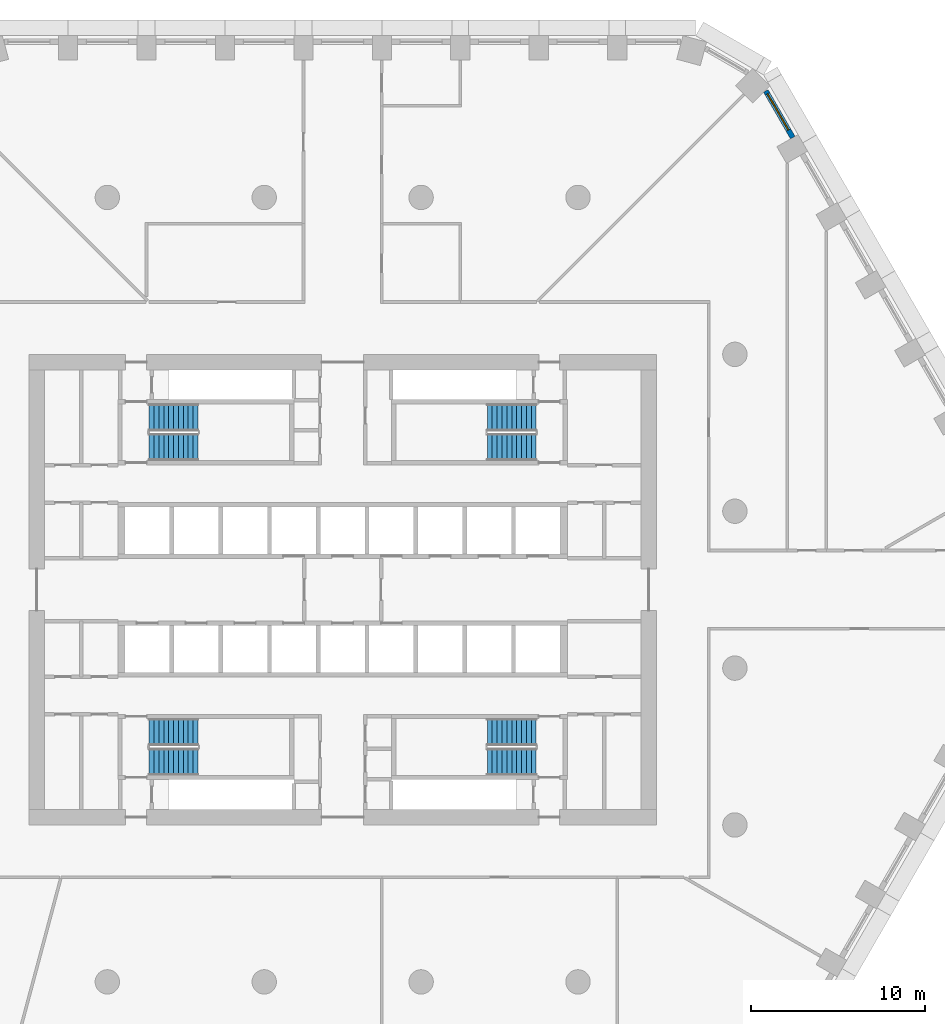
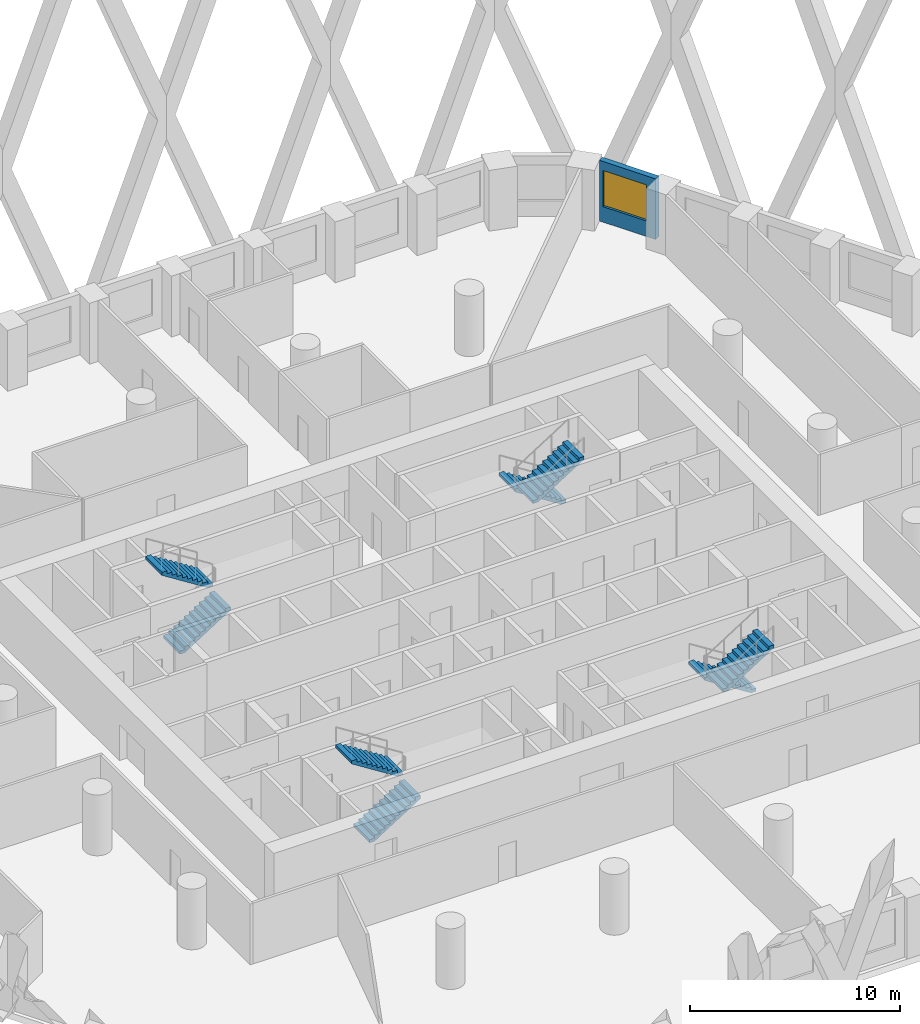
# One storey, part 9 of 18: 8 stair flights, 1 wall, 1 window, 1 opening, 4 elements without a shape of their own.
"""IFC4 building model written with IfcOpenShell, lengths in metres."""

from ifc_helpers import new_model, si_unit, direction, frame, frame_2d, origin, place, context, subcontext, project, spatial, polyline, rectangle, outline, extrude, material, layer, layer_set, type_object, element, fill, aggregate, save


model = new_model("IFC4")

# Units and contexts
model_context = context("Model", 3, precision=1e-05, world=origin(), true_north=direction((0.0, 1.0)))
body_context = subcontext(model_context, "Body", "Model", "MODEL_VIEW")
ifc_project = project(units=[si_unit("LENGTHUNIT", "METRE"), si_unit("AREAUNIT", "SQUARE_METRE"), si_unit("VOLUMEUNIT", "CUBIC_METRE"), si_unit("PLANEANGLEUNIT", "RADIAN"), si_unit("MASSUNIT", "GRAM", prefix="KILO")], contexts=[model_context])

# Site, building, storey
site_placement = place(None, origin())
site = spatial("IfcSite", under=ifc_project, at=site_placement, CompositionType="ELEMENT")
building_placement = place(site_placement, origin())
building = spatial("IfcBuilding", under=site, at=building_placement, Name="Dhurran Vertical Campus", CompositionType="ELEMENT")
storey_placement = place(building_placement, frame((0.0, 0.0, 53.39990234375)))
storey = spatial("IfcBuildingStorey", under=building, at=storey_placement, Name="L12", CompositionType="ELEMENT", Elevation=53.39990234375)

# Wall, opening, window
ifc_material_1 = material(Name="Precast concrete C50/60", Category="concrete")
ifc_layer = layer(ifc_material_1, 0.300048828125)
ifc_layer_set = layer_set([ifc_layer], Name="Precast concrete C50/60")
wall_type = type_object("IfcWallType", Name="Precast spandrel wall 300", PredefinedType="SOLIDWALL", material=ifc_layer_set)
wall_placement = place(storey_placement, frame((25.81884765625, 25.934326171875, 0.0), z_axis=(0.0, 0.0, 1.0), x_axis=(-0.499995950774, 0.866027741594, 0.0)))
wall = element("IfcWall", 1, at=wall_placement, inside=storey, type_object=wall_type, Name="EW1 L12.24", PredefinedType="SOLIDWALL", context=body_context, shape_type="SweptSolid", body=[
    extrude(rectangle(XDim=3.0908203125, YDim=0.300048828125, at=frame_2d((1.54541015625, 0.0))), origin(), (0.0, 0.0, 1.0), 3.525146484375),
])
opening_placement = place(wall_placement, frame((0.49951171875, 0.0, 0.89990234375)))
opening = element("IfcOpeningElement", 2, at=opening_placement, cuts=wall, Name="Opening WT1", PredefinedType="OPENING", context=body_context, shape_type="SweptSolid", body=[
    extrude(rectangle(XDim=2.39990234375, YDim=2.10009765625, at=frame_2d((1.199951171875, 1.050048828125))), frame((0.0, 0.159912109375, 0.0), z_axis=(0.0, -1.0, 0.0), x_axis=(1.0, 0.0, 0.0)), (0.0, 0.0, 1.0), 0.320068359375),
])
ifc_material_2 = material(Name="Aluminium frame with solar-control glass", Category="aluminium")
window_type = type_object("IfcWindowType", Name="Punched window 2400 x 2100", PartitioningType="SINGLE_PANEL", PredefinedType="WINDOW", material=ifc_material_2)
window_placement = place(opening_placement, origin())
window = element("IfcWindow", 3, at=window_placement, inside=storey, type_object=window_type, Name="WT1 L12.24", OverallHeight=2.10009765625, OverallWidth=2.39990234375, PartitioningType="SINGLE_PANEL", PredefinedType="WINDOW", context=body_context, shape_type="SweptSolid", body=[
    extrude(rectangle(XDim=2.39990234375, YDim=2.10009765625, at=frame_2d((1.199951171875, 1.050048828125))), frame((0.0, 0.030029296875, 0.0), z_axis=(0.0, -1.0, 0.0), x_axis=(1.0, 0.0, 0.0)), (0.0, 0.0, 1.0), 0.06005859375),
])
fill(opening, window)

# Stair, stair flights
ifc_material_3 = material(Name="Concrete C40/50", Category="concrete")
stair_type = type_object("IfcStairType", Name="co-ST-CORE", PredefinedType="HALF_TURN_STAIR", material=ifc_material_3)
stair_1_placement = place(storey_placement, origin())
stair_1 = element("IfcStair", 4, at=stair_1_placement, inside=storey, type_object=stair_type, Name="L12 Protected exit stair ST1", PredefinedType="HALF_TURN_STAIR")
ifc_material_4 = material(Name="Concrete C40/50", Category="concrete")
stair_flight_type = type_object("IfcStairFlightType", Name="co-SFL-RC", PredefinedType="STRAIGHT", material=ifc_material_4)
stair_flight_1_placement = place(storey_placement, frame((-11.10009765625, 8.175048828125, 0.0), z_axis=(0.0, 0.0, 1.0), x_axis=(1.0, 0.0, 0.0)))
stair_flight_1 = element("IfcStairFlight", 5, at=stair_flight_1_placement, type_object=stair_flight_type, Name="ST1 flight 1", NumberOfRisers=11, NumberOfTreads=10, PredefinedType="STRAIGHT", RiserHeight=0.177272727, TreadLength=0.28, context=body_context, shape_type="SweptSolid", body=[
    extrude(outline(polyline([(0.0, 0.0), (0.0, 0.17724609375), (0.280029296875, 0.17724609375), (0.280029296875, 0.3544921875), (0.56005859375, 0.3544921875), (0.56005859375, 0.53173828125), (0.840087890625, 0.53173828125), (0.840087890625, 0.708984375), (1.1201171875, 0.708984375), (1.1201171875, 0.886474609375), (1.39990234375, 0.886474609375), (1.39990234375, 1.063720703125), (1.679931640625, 1.063720703125), (1.679931640625, 1.240966796875), (1.9599609375, 1.240966796875), (1.9599609375, 1.418212890625), (2.239990234375, 1.418212890625), (2.239990234375, 1.595458984375), (2.52001953125, 1.595458984375), (2.52001953125, 1.772705078125), (2.800048828125, 1.772705078125), (2.800048828125, 1.949951171875), (2.800048828125, 1.59521484375), (0.2802734375, 0.0), (0.0, 0.0)])), frame((0.0, 0.77490234375, 0.0), z_axis=(0.0, -1.0, 0.0), x_axis=(1.0, 0.0, 0.0)), (0.0, 0.0, 1.0), 1.550048828125),
])
stair_flight_2_placement = place(storey_placement, frame((-8.300048828125, 9.875, 1.9501953125), z_axis=(0.0, 0.0, 1.0), x_axis=(-1.0, 0.0, 0.0)))
stair_flight_2 = element("IfcStairFlight", 6, at=stair_flight_2_placement, type_object=stair_flight_type, Name="ST1 flight 2", NumberOfRisers=11, NumberOfTreads=10, PredefinedType="STRAIGHT", RiserHeight=0.177272727, TreadLength=0.28, context=body_context, shape_type="SweptSolid", body=[
    extrude(outline(polyline([(0.0, 0.0), (0.0, 0.17724609375), (0.280029296875, 0.17724609375), (0.280029296875, 0.3544921875), (0.56005859375, 0.3544921875), (0.56005859375, 0.53173828125), (0.840087890625, 0.53173828125), (0.840087890625, 0.708984375), (1.1201171875, 0.708984375), (1.1201171875, 0.886474609375), (1.39990234375, 0.886474609375), (1.39990234375, 1.063720703125), (1.679931640625, 1.063720703125), (1.679931640625, 1.240966796875), (1.9599609375, 1.240966796875), (1.9599609375, 1.418212890625), (2.239990234375, 1.418212890625), (2.239990234375, 1.595458984375), (2.52001953125, 1.595458984375), (2.52001953125, 1.772705078125), (2.800048828125, 1.772705078125), (2.800048828125, 1.949951171875), (2.800048828125, 1.59521484375), (0.2802734375, 0.0), (0.0, 0.0)])), frame((0.0, 0.77490234375, 0.0), z_axis=(0.0, -1.0, 0.0), x_axis=(1.0, 0.0, 0.0)), (0.0, 0.0, 1.0), 1.550048828125),
])
aggregate(stair_1, [stair_flight_1, stair_flight_2])

stair_2_placement = place(storey_placement, origin())
stair_2 = element("IfcStair", 7, at=stair_2_placement, inside=storey, type_object=stair_type, Name="L12 Protected exit stair ST2", PredefinedType="HALF_TURN_STAIR")
stair_flight_3_placement = place(storey_placement, frame((11.10009765625, 9.875, 0.0), z_axis=(0.0, 0.0, 1.0), x_axis=(-1.0, 0.0, 0.0)))
stair_flight_3 = element("IfcStairFlight", 8, at=stair_flight_3_placement, type_object=stair_flight_type, Name="ST2 flight 1", NumberOfRisers=11, NumberOfTreads=10, PredefinedType="STRAIGHT", RiserHeight=0.177272727, TreadLength=0.28, context=body_context, shape_type="SweptSolid", body=[
    extrude(outline(polyline([(0.0, 0.0), (0.0, 0.17724609375), (0.280029296875, 0.17724609375), (0.280029296875, 0.3544921875), (0.56005859375, 0.3544921875), (0.56005859375, 0.53173828125), (0.840087890625, 0.53173828125), (0.840087890625, 0.708984375), (1.1201171875, 0.708984375), (1.1201171875, 0.886474609375), (1.39990234375, 0.886474609375), (1.39990234375, 1.063720703125), (1.679931640625, 1.063720703125), (1.679931640625, 1.240966796875), (1.9599609375, 1.240966796875), (1.9599609375, 1.418212890625), (2.239990234375, 1.418212890625), (2.239990234375, 1.595458984375), (2.52001953125, 1.595458984375), (2.52001953125, 1.772705078125), (2.800048828125, 1.772705078125), (2.800048828125, 1.949951171875), (2.800048828125, 1.59521484375), (0.2802734375, 0.0), (0.0, 0.0)])), frame((0.0, 0.77490234375, 0.0), z_axis=(0.0, -1.0, 0.0), x_axis=(1.0, 0.0, 0.0)), (0.0, 0.0, 1.0), 1.550048828125),
])
stair_flight_4_placement = place(storey_placement, frame((8.300048828125, 8.175048828125, 1.9501953125), z_axis=(0.0, 0.0, 1.0), x_axis=(1.0, 0.0, 0.0)))
stair_flight_4 = element("IfcStairFlight", 9, at=stair_flight_4_placement, type_object=stair_flight_type, Name="ST2 flight 2", NumberOfRisers=11, NumberOfTreads=10, PredefinedType="STRAIGHT", RiserHeight=0.177272727, TreadLength=0.28, context=body_context, shape_type="SweptSolid", body=[
    extrude(outline(polyline([(0.0, 0.0), (0.0, 0.17724609375), (0.280029296875, 0.17724609375), (0.280029296875, 0.3544921875), (0.56005859375, 0.3544921875), (0.56005859375, 0.53173828125), (0.840087890625, 0.53173828125), (0.840087890625, 0.708984375), (1.1201171875, 0.708984375), (1.1201171875, 0.886474609375), (1.39990234375, 0.886474609375), (1.39990234375, 1.063720703125), (1.679931640625, 1.063720703125), (1.679931640625, 1.240966796875), (1.9599609375, 1.240966796875), (1.9599609375, 1.418212890625), (2.239990234375, 1.418212890625), (2.239990234375, 1.595458984375), (2.52001953125, 1.595458984375), (2.52001953125, 1.772705078125), (2.800048828125, 1.772705078125), (2.800048828125, 1.949951171875), (2.800048828125, 1.59521484375), (0.2802734375, 0.0), (0.0, 0.0)])), frame((0.0, 0.77490234375, 0.0), z_axis=(0.0, -1.0, 0.0), x_axis=(1.0, 0.0, 0.0)), (0.0, 0.0, 1.0), 1.550048828125),
])
aggregate(stair_2, [stair_flight_3, stair_flight_4])

stair_3_placement = place(storey_placement, origin())
stair_3 = element("IfcStair", 10, at=stair_3_placement, inside=storey, type_object=stair_type, Name="L12 Protected exit stair ST3", PredefinedType="HALF_TURN_STAIR")
stair_flight_5_placement = place(storey_placement, frame((-11.10009765625, -9.875, 0.0), z_axis=(0.0, 0.0, 1.0), x_axis=(1.0, 0.0, 0.0)))
stair_flight_5 = element("IfcStairFlight", 11, at=stair_flight_5_placement, type_object=stair_flight_type, Name="ST3 flight 1", NumberOfRisers=11, NumberOfTreads=10, PredefinedType="STRAIGHT", RiserHeight=0.177272727, TreadLength=0.28, context=body_context, shape_type="SweptSolid", body=[
    extrude(outline(polyline([(0.0, 0.0), (0.0, 0.17724609375), (0.280029296875, 0.17724609375), (0.280029296875, 0.3544921875), (0.56005859375, 0.3544921875), (0.56005859375, 0.53173828125), (0.840087890625, 0.53173828125), (0.840087890625, 0.708984375), (1.1201171875, 0.708984375), (1.1201171875, 0.886474609375), (1.39990234375, 0.886474609375), (1.39990234375, 1.063720703125), (1.679931640625, 1.063720703125), (1.679931640625, 1.240966796875), (1.9599609375, 1.240966796875), (1.9599609375, 1.418212890625), (2.239990234375, 1.418212890625), (2.239990234375, 1.595458984375), (2.52001953125, 1.595458984375), (2.52001953125, 1.772705078125), (2.800048828125, 1.772705078125), (2.800048828125, 1.949951171875), (2.800048828125, 1.59521484375), (0.2802734375, 0.0), (0.0, 0.0)])), frame((0.0, 0.77490234375, 0.0), z_axis=(0.0, -1.0, 0.0), x_axis=(1.0, 0.0, 0.0)), (0.0, 0.0, 1.0), 1.550048828125),
])
stair_flight_6_placement = place(storey_placement, frame((-8.300048828125, -8.175048828125, 1.9501953125), z_axis=(0.0, 0.0, 1.0), x_axis=(-1.0, 0.0, 0.0)))
stair_flight_6 = element("IfcStairFlight", 12, at=stair_flight_6_placement, type_object=stair_flight_type, Name="ST3 flight 2", NumberOfRisers=11, NumberOfTreads=10, PredefinedType="STRAIGHT", RiserHeight=0.177272727, TreadLength=0.28, context=body_context, shape_type="SweptSolid", body=[
    extrude(outline(polyline([(0.0, 0.0), (0.0, 0.17724609375), (0.280029296875, 0.17724609375), (0.280029296875, 0.3544921875), (0.56005859375, 0.3544921875), (0.56005859375, 0.53173828125), (0.840087890625, 0.53173828125), (0.840087890625, 0.708984375), (1.1201171875, 0.708984375), (1.1201171875, 0.886474609375), (1.39990234375, 0.886474609375), (1.39990234375, 1.063720703125), (1.679931640625, 1.063720703125), (1.679931640625, 1.240966796875), (1.9599609375, 1.240966796875), (1.9599609375, 1.418212890625), (2.239990234375, 1.418212890625), (2.239990234375, 1.595458984375), (2.52001953125, 1.595458984375), (2.52001953125, 1.772705078125), (2.800048828125, 1.772705078125), (2.800048828125, 1.949951171875), (2.800048828125, 1.59521484375), (0.2802734375, 0.0), (0.0, 0.0)])), frame((0.0, 0.77490234375, 0.0), z_axis=(0.0, -1.0, 0.0), x_axis=(1.0, 0.0, 0.0)), (0.0, 0.0, 1.0), 1.550048828125),
])
aggregate(stair_3, [stair_flight_5, stair_flight_6])

stair_4_placement = place(storey_placement, origin())
stair_4 = element("IfcStair", 13, at=stair_4_placement, inside=storey, type_object=stair_type, Name="L12 Protected exit stair ST4", PredefinedType="HALF_TURN_STAIR")
stair_flight_7_placement = place(storey_placement, frame((11.10009765625, -8.175048828125, 0.0), z_axis=(0.0, 0.0, 1.0), x_axis=(-1.0, 0.0, 0.0)))
stair_flight_7 = element("IfcStairFlight", 14, at=stair_flight_7_placement, type_object=stair_flight_type, Name="ST4 flight 1", NumberOfRisers=11, NumberOfTreads=10, PredefinedType="STRAIGHT", RiserHeight=0.177272727, TreadLength=0.28, context=body_context, shape_type="SweptSolid", body=[
    extrude(outline(polyline([(0.0, 0.0), (0.0, 0.17724609375), (0.280029296875, 0.17724609375), (0.280029296875, 0.3544921875), (0.56005859375, 0.3544921875), (0.56005859375, 0.53173828125), (0.840087890625, 0.53173828125), (0.840087890625, 0.708984375), (1.1201171875, 0.708984375), (1.1201171875, 0.886474609375), (1.39990234375, 0.886474609375), (1.39990234375, 1.063720703125), (1.679931640625, 1.063720703125), (1.679931640625, 1.240966796875), (1.9599609375, 1.240966796875), (1.9599609375, 1.418212890625), (2.239990234375, 1.418212890625), (2.239990234375, 1.595458984375), (2.52001953125, 1.595458984375), (2.52001953125, 1.772705078125), (2.800048828125, 1.772705078125), (2.800048828125, 1.949951171875), (2.800048828125, 1.59521484375), (0.2802734375, 0.0), (0.0, 0.0)])), frame((0.0, 0.77490234375, 0.0), z_axis=(0.0, -1.0, 0.0), x_axis=(1.0, 0.0, 0.0)), (0.0, 0.0, 1.0), 1.550048828125),
])
stair_flight_8_placement = place(storey_placement, frame((8.300048828125, -9.875, 1.9501953125), z_axis=(0.0, 0.0, 1.0), x_axis=(1.0, 0.0, 0.0)))
stair_flight_8 = element("IfcStairFlight", 15, at=stair_flight_8_placement, type_object=stair_flight_type, Name="ST4 flight 2", NumberOfRisers=11, NumberOfTreads=10, PredefinedType="STRAIGHT", RiserHeight=0.177272727, TreadLength=0.28, context=body_context, shape_type="SweptSolid", body=[
    extrude(outline(polyline([(0.0, 0.0), (0.0, 0.17724609375), (0.280029296875, 0.17724609375), (0.280029296875, 0.3544921875), (0.56005859375, 0.3544921875), (0.56005859375, 0.53173828125), (0.840087890625, 0.53173828125), (0.840087890625, 0.708984375), (1.1201171875, 0.708984375), (1.1201171875, 0.886474609375), (1.39990234375, 0.886474609375), (1.39990234375, 1.063720703125), (1.679931640625, 1.063720703125), (1.679931640625, 1.240966796875), (1.9599609375, 1.240966796875), (1.9599609375, 1.418212890625), (2.239990234375, 1.418212890625), (2.239990234375, 1.595458984375), (2.52001953125, 1.595458984375), (2.52001953125, 1.772705078125), (2.800048828125, 1.772705078125), (2.800048828125, 1.949951171875), (2.800048828125, 1.59521484375), (0.2802734375, 0.0), (0.0, 0.0)])), frame((0.0, 0.77490234375, 0.0), z_axis=(0.0, -1.0, 0.0), x_axis=(1.0, 0.0, 0.0)), (0.0, 0.0, 1.0), 1.550048828125),
])
aggregate(stair_4, [stair_flight_7, stair_flight_8])

save(model, "model.ifc")
